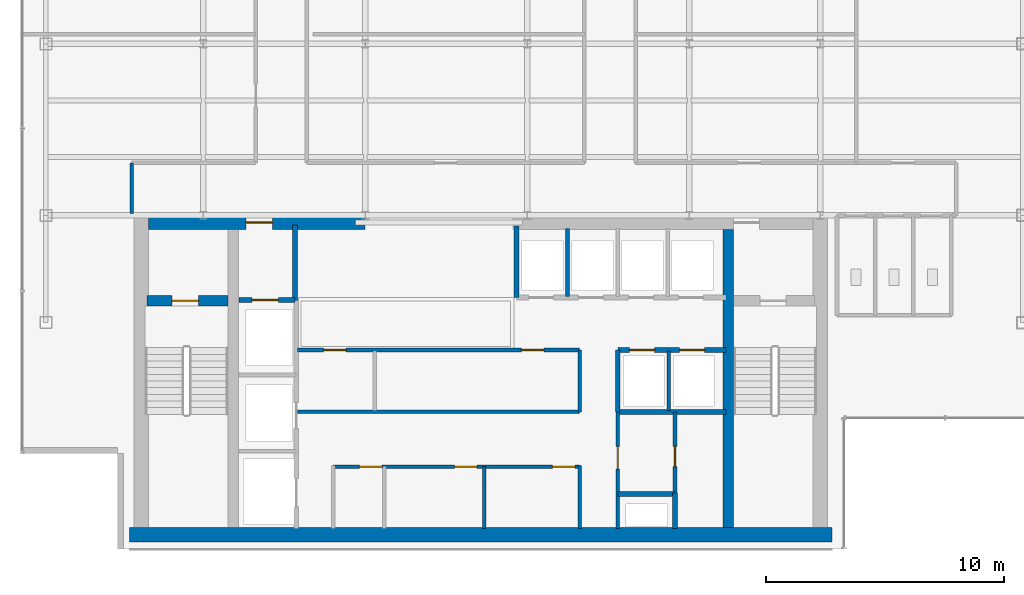
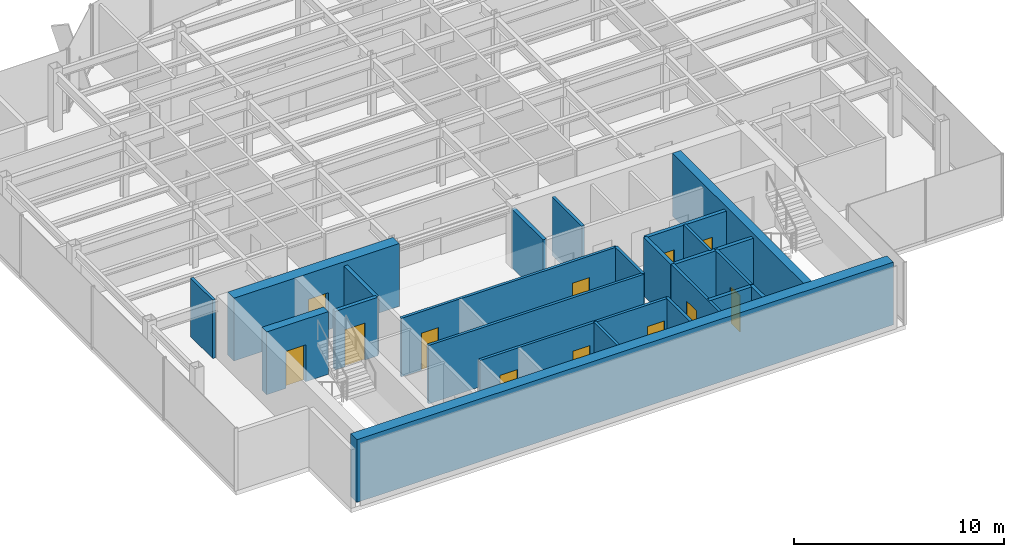
# One storey, part 17 of 22: 23 walls, 12 doors, 12 openings.
"""IFC4 building model written with IfcOpenShell, lengths in metres."""

from ifc_helpers import new_model, si_unit, derived_unit, direction, frame, frame_2d, origin, place, context, subcontext, project, spatial, rectangle, extrude, source, transform, mapped, material, layer, layer_set, type_object, element, fill, save


model = new_model("IFC4")

# Units and contexts
model_context = context("Model", 3, precision=1e-05, world=origin(), true_north=direction((0.0, 1.0)))
body_context = subcontext(model_context, "Body", "Model", "MODEL_VIEW")
ifc_project = project(units=[si_unit("LENGTHUNIT", "METRE"), si_unit("AREAUNIT", "SQUARE_METRE"), si_unit("VOLUMEUNIT", "CUBIC_METRE"), si_unit("PLANEANGLEUNIT", "RADIAN"), si_unit("MASSUNIT", "GRAM", prefix="KILO"), derived_unit("THERMALTRANSMITTANCEUNIT", [(si_unit("POWERUNIT", "WATT"), 1), (si_unit("LENGTHUNIT", "METRE"), -2), (si_unit("THERMODYNAMICTEMPERATUREUNIT", "KELVIN"), -1)])], contexts=[model_context])

# Site, building, storey
site_placement = place(None, origin())
site = spatial("IfcSite", under=ifc_project, at=site_placement, CompositionType="ELEMENT")
building_placement = place(site_placement, origin())
building = spatial("IfcBuilding", under=site, at=building_placement, Name="Skarnbrae Concourse Arena and Tower", CompositionType="ELEMENT")
storey_placement = place(building_placement, frame((0.0, 0.0, 255.14990234375)))
storey = spatial("IfcBuildingStorey", under=building, at=storey_placement, Name="L66", CompositionType="ELEMENT", Elevation=255.14990234375)

# Wall, opening, door
ifc_material_1 = material(Name="Concrete 50 MPa (C50/60)", Category="concrete")
ifc_layer_1 = layer(ifc_material_1, 0.449951171875)
ifc_layer_set_1 = layer_set([ifc_layer_1], Name="Concrete 50 MPa (C50/60)")
wall_type_1 = type_object("IfcWallType", Name="WALL-CORE-450-C50", PredefinedType="SHEAR", material=ifc_layer_set_1)
shared_shape_1 = source(origin(), body_context, "Body", "SweptSolid", [
    extrude(rectangle(XDim=3.389892578125, YDim=0.449951171875, at=frame_2d((1.69482421875, 0.0))), origin(), (0.0, 0.0, 1.0), 3.650146484375),
])
wall_1_placement = place(storey_placement, frame((5.25, 10.419921875, 0.0), z_axis=(0.0, 0.0, 1.0), x_axis=(1.0, 0.0, 0.0)))
wall_1 = element("IfcWall", 1, at=wall_1_placement, inside=storey, type_object=wall_type_1, Name="L66 Rear core shear wall CW-ST1-N", PredefinedType="SHEAR", context=body_context, shape_type="MappedRepresentation", body=[
    mapped(shared_shape_1, transform((0.0, 0.0, 0.0))),
])
opening_1_placement = place(wall_1_placement, frame((1.050048828125, 0.0, 0.0)))
opening_1 = element("IfcOpeningElement", 2, at=opening_1_placement, cuts=wall_1, Name="Opening DT-03", PredefinedType="OPENING", context=body_context, shape_type="SweptSolid", body=[
    extrude(rectangle(XDim=1.10009765625, YDim=2.14990234375, at=frame_2d((0.550048828125, 1.074951171875))), frame((0.0, 0.23486328125, 0.0), z_axis=(0.0, -1.0, 0.0), x_axis=(1.0, 0.0, 0.0)), (0.0, 0.0, 1.0), 0.469970703125),
])
ifc_material_2 = material(Name="Steel CSA G40.21 350W", Category="steel")
door_type_1 = type_object("IfcDoorType", Name="DOOR-FIRE-1100-90M", OperationType="NOTDEFINED", PredefinedType="DOOR", material=ifc_material_2)
shared_shape_2 = source(origin(), body_context, "Body", "SweptSolid", [
    extrude(rectangle(XDim=1.10009765625, YDim=2.14990234375, at=frame_2d((0.550048828125, 1.074951171875))), frame((0.0, 0.02490234375, 0.0), z_axis=(0.0, -1.0, 0.0), x_axis=(1.0, 0.0, 0.0)), (0.0, 0.0, 1.0), 0.050048828125),
])
door_1_placement = place(opening_1_placement, frame((1.10009765625, 0.0, 0.0), z_axis=(0.0, 0.0, 1.0), x_axis=(-1.0, 0.0, 0.0)))
door_1 = element("IfcDoor", 3, at=door_1_placement, inside=storey, type_object=door_type_1, Name="D-1985 Stair ST-1 Door", OperationType="SINGLE_SWING_LEFT", OverallHeight=2.14990234375, OverallWidth=1.10009765625, PredefinedType="DOOR", context=body_context, shape_type="MappedRepresentation", body=[
    mapped(shared_shape_2, transform((0.0, 0.0, 0.0))),
])
fill(opening_1, door_1)

# Wall
ifc_layer_2 = layer(ifc_material_1, 0.60009765625)
ifc_layer_set_2 = layer_set([ifc_layer_2], Name="Concrete 50 MPa (C50/60)")
wall_type_2 = type_object("IfcWallType", Name="WALL-CORE-600-C50", PredefinedType="SHEAR", material=ifc_layer_set_2)
shared_shape_3 = source(origin(), body_context, "Body", "SweptSolid", [
    extrude(rectangle(XDim=29.5, YDim=0.60009765625, at=frame_2d((14.75, 0.0))), origin(), (0.0, 0.0, 1.0), 3.650146484375),
])
wall_2_placement = place(storey_placement, frame((4.5, 0.60009765625, 0.0), z_axis=(0.0, 0.0, 1.0), x_axis=(1.0, 0.0, 0.0)))
element("IfcWall", 4, at=wall_2_placement, inside=storey, type_object=wall_type_2, Name="L66 Rear core shear wall CW-S", PredefinedType="SHEAR", context=body_context, shape_type="MappedRepresentation", body=[
    mapped(shared_shape_3, transform((0.0, 0.0, 0.0))),
])

# Wall, opening, door
shared_shape_4 = source(origin(), body_context, "Body", "SweptSolid", [
    extrude(rectangle(XDim=9.099853515625, YDim=0.60009765625, at=frame_2d((4.5498046875, 0.0))), origin(), (0.0, 0.0, 1.0), 3.650146484375),
])
wall_3_placement = place(storey_placement, frame((5.300048828125, 13.699951171875, 0.0), z_axis=(0.0, 0.0, 1.0), x_axis=(1.0, 0.0, 0.0)))
wall_3 = element("IfcWall", 5, at=wall_3_placement, inside=storey, type_object=wall_type_2, Name="L66 Rear core shear wall CW-NW", PredefinedType="SHEAR", context=body_context, shape_type="MappedRepresentation", body=[
    mapped(shared_shape_4, transform((0.0, 0.0, 0.0))),
])
opening_2_placement = place(wall_3_placement, frame((4.10009765625, 0.0, 0.0)))
opening_2 = element("IfcOpeningElement", 6, at=opening_2_placement, cuts=wall_3, Name="Opening DT-03", PredefinedType="OPENING", context=body_context, shape_type="SweptSolid", body=[
    extrude(rectangle(XDim=1.10009765625, YDim=2.14990234375, at=frame_2d((0.550048828125, 1.074951171875))), frame((0.0, 0.31005859375, 0.0), z_axis=(0.0, -1.0, 0.0), x_axis=(1.0, 0.0, 0.0)), (0.0, 0.0, 1.0), 0.6201171875),
])
door_2_placement = place(opening_2_placement, origin())
door_2 = element("IfcDoor", 7, at=door_2_placement, inside=storey, type_object=door_type_1, Name="D-1987 Firefighting Lobby Exit Door", OperationType="SINGLE_SWING_RIGHT", OverallHeight=2.14990234375, OverallWidth=1.10009765625, PredefinedType="DOOR", context=body_context, shape_type="MappedRepresentation", body=[
    mapped(shared_shape_2, transform((0.0, 0.0, 0.0))),
])
fill(opening_2, door_2)

# Walls
shared_shape_5 = source(origin(), body_context, "Body", "SweptSolid", [
    extrude(rectangle(XDim=12.5, YDim=0.449951171875, at=frame_2d((6.25, 0.0))), origin(), (0.0, 0.0, 1.0), 3.650146484375),
])
wall_4_placement = place(storey_placement, frame((29.635009765625, 0.89990234375, 0.0), z_axis=(0.0, 0.0, 1.0), x_axis=(0.0, 1.0, 0.0)))
element("IfcWall", 8, at=wall_4_placement, inside=storey, type_object=wall_type_1, Name="L66 Rear core shear wall CW-WEB-E", PredefinedType="SHEAR", context=body_context, shape_type="MappedRepresentation", body=[
    mapped(shared_shape_5, transform((0.0, 0.0, 0.0))),
])
ifc_material_3 = material(Name="Gypsum board on cold-formed steel studs", Category="steel")
ifc_layer_3 = layer(ifc_material_3, 0.199951171875)
ifc_layer_set_3 = layer_set([ifc_layer_3], Name="Gypsum board on cold-formed steel studs")
wall_type_3 = type_object("IfcWallType", Name="WALL-PART-200-2HR", PredefinedType="PARTITIONING", material=ifc_layer_set_3)
shared_shape_6 = source(origin(), body_context, "Body", "SweptSolid", [
    extrude(rectangle(XDim=3.18017578125, YDim=0.199951171875, at=frame_2d((1.590087890625, 0.0))), origin(), (0.0, 0.0, 1.0), 3.400146484375),
])
wall_5_placement = place(storey_placement, frame((11.449951171875, 10.419921875, 0.0), z_axis=(0.0, 0.0, 1.0), x_axis=(0.0, 1.0, 0.0)))
element("IfcWall", 9, at=wall_5_placement, inside=storey, type_object=wall_type_3, Name="L66 Interior partition wall W-L66-FFL-E", PredefinedType="PARTITIONING", context=body_context, shape_type="MappedRepresentation", body=[
    mapped(shared_shape_6, transform((0.0, 0.0, 0.0))),
])

# Wall, opening, door
shared_shape_7 = source(origin(), body_context, "Body", "SweptSolid", [
    extrude(rectangle(XDim=2.349853515625, YDim=0.199951171875, at=frame_2d((1.1748046875, 0.0))), origin(), (0.0, 0.0, 1.0), 3.400146484375),
])
wall_6_placement = place(storey_placement, frame((9.10009765625, 10.449951171875, 0.0), z_axis=(0.0, 0.0, 1.0), x_axis=(1.0, 0.0, 0.0)))
wall_6 = element("IfcWall", 10, at=wall_6_placement, inside=storey, type_object=wall_type_3, Name="L66 Interior partition wall W-L66-FL1-N", PredefinedType="PARTITIONING", context=body_context, shape_type="MappedRepresentation", body=[
    mapped(shared_shape_7, transform((0.0, 0.0, 0.0))),
])
opening_3_placement = place(wall_6_placement, frame((0.550048828125, 0.0, 0.0)))
opening_3 = element("IfcOpeningElement", 11, at=opening_3_placement, cuts=wall_6, Name="Opening LD-01", PredefinedType="OPENING", context=body_context, shape_type="SweptSolid", body=[
    extrude(rectangle(XDim=1.10009765625, YDim=2.14990234375, at=frame_2d((0.550048828125, 1.074951171875))), frame((0.0, 0.10986328125, 0.0), z_axis=(0.0, -1.0, 0.0), x_axis=(1.0, 0.0, 0.0)), (0.0, 0.0, 1.0), 0.219970703125),
])
door_type_2 = type_object("IfcDoorType", Name="DOOR-LIFT-SLIDE-1100", OperationType="SLIDING_TO_LEFT", PredefinedType="DOOR", material=ifc_material_2)
door_3_placement = place(opening_3_placement, origin())
door_3 = element("IfcDoor", 12, at=door_3_placement, inside=storey, type_object=door_type_2, Name="D-1989 Firefighting Lift Landing Door FL-01", OperationType="SLIDING_TO_LEFT", OverallHeight=2.14990234375, OverallWidth=1.10009765625, PredefinedType="DOOR", context=body_context, shape_type="MappedRepresentation", body=[
    mapped(shared_shape_2, transform((0.0, 0.0, 0.0))),
])
fill(opening_3, door_3)

# Walls
ifc_layer_4 = layer(ifc_material_3, 0.14990234375)
ifc_layer_set_4 = layer_set([ifc_layer_4], Name="Gypsum board on cold-formed steel studs")
wall_type_4 = type_object("IfcWallType", Name="WALL-PART-150", PredefinedType="PARTITIONING", material=ifc_layer_set_4)
shared_shape_8 = source(origin(), body_context, "Body", "SweptSolid", [
    extrude(rectangle(XDim=2.599853515625, YDim=0.14990234375, at=frame_2d((1.2998046875, 0.0))), origin(), (0.0, 0.0, 1.0), 3.400146484375),
])
wall_7_placement = place(storey_placement, frame((19.39990234375, 0.85009765625, 0.0), z_axis=(0.0, 0.0, 1.0), x_axis=(0.0, 1.0, 0.0)))
element("IfcWall", 13, at=wall_7_placement, inside=storey, type_object=wall_type_4, Name="L66 Interior partition wall W-L66-B1M-C2", PredefinedType="PARTITIONING", context=body_context, shape_type="MappedRepresentation", body=[
    mapped(shared_shape_8, transform((0.0, 0.0, 0.0))),
])
shared_shape_9 = source(origin(), body_context, "Body", "SweptSolid", [
    extrude(rectangle(XDim=2.60009765625, YDim=0.199951171875, at=frame_2d((1.300048828125, 0.0))), origin(), (0.0, 0.0, 1.0), 3.400146484375),
])
wall_8_placement = place(storey_placement, frame((25.0, 5.75, 0.0), z_axis=(0.0, 0.0, 1.0), x_axis=(0.0, 1.0, 0.0)))
element("IfcWall", 14, at=wall_8_placement, inside=storey, type_object=wall_type_3, Name="L66 Interior partition wall W-L66-B3S-W", PredefinedType="PARTITIONING", context=body_context, shape_type="MappedRepresentation", body=[
    mapped(shared_shape_9, transform((0.0, 0.0, 0.0))),
])
shared_shape_10 = source(origin(), body_context, "Body", "SweptSolid", [
    extrude(rectangle(XDim=2.5, YDim=0.14990234375, at=frame_2d((1.25, 0.0))), origin(), (0.0, 0.0, 1.0), 3.400146484375),
])
wall_9_placement = place(storey_placement, frame((27.139892578125, 5.800048828125, 0.0), z_axis=(0.0, 0.0, 1.0), x_axis=(0.0, 1.0, 0.0)))
element("IfcWall", 15, at=wall_9_placement, inside=storey, type_object=wall_type_4, Name="L66 Interior partition wall W-L66-B3S-P1", PredefinedType="PARTITIONING", context=body_context, shape_type="MappedRepresentation", body=[
    mapped(shared_shape_10, transform((0.0, 0.0, 0.0))),
])
shared_shape_11 = source(origin(), body_context, "Body", "SweptSolid", [
    extrude(rectangle(XDim=3.0, YDim=0.199951171875, at=frame_2d((1.5, 0.0))), origin(), (0.0, 0.0, 1.0), 3.400146484375),
])
wall_10_placement = place(storey_placement, frame((20.75, 10.550048828125, 0.0), z_axis=(0.0, 0.0, 1.0), x_axis=(0.0, 1.0, 0.0)))
element("IfcWall", 16, at=wall_10_placement, inside=storey, type_object=wall_type_3, Name="L66 Interior partition wall W-L66-B3N-W", PredefinedType="PARTITIONING", context=body_context, shape_type="MappedRepresentation", body=[
    mapped(shared_shape_11, transform((0.0, 0.0, 0.0))),
])
shared_shape_12 = source(origin(), body_context, "Body", "SweptSolid", [
    extrude(rectangle(XDim=2.849853515625, YDim=0.14990234375, at=frame_2d((1.4248046875, 0.0))), origin(), (0.0, 0.0, 1.0), 3.400146484375),
])
wall_11_placement = place(storey_placement, frame((22.889892578125, 10.60009765625, 0.0), z_axis=(0.0, 0.0, 1.0), x_axis=(0.0, 1.0, 0.0)))
element("IfcWall", 17, at=wall_11_placement, inside=storey, type_object=wall_type_4, Name="L66 Interior partition wall W-L66-B3N-P1", PredefinedType="PARTITIONING", context=body_context, shape_type="MappedRepresentation", body=[
    mapped(shared_shape_12, transform((0.0, 0.0, 0.0))),
])

# Wall, openings, doors
shared_shape_13 = source(origin(), body_context, "Body", "SweptSolid", [
    extrude(rectangle(XDim=4.550048828125, YDim=0.199951171875, at=frame_2d((2.27490234375, 0.0))), origin(), (0.0, 0.0, 1.0), 3.400146484375),
])
wall_12_placement = place(storey_placement, frame((25.0, 8.35009765625, 0.0), z_axis=(0.0, 0.0, 1.0), x_axis=(1.0, 0.0, 0.0)))
wall_12 = element("IfcWall", 18, at=wall_12_placement, inside=storey, type_object=wall_type_3, Name="L66 Interior partition wall W-L66-B3S-N", PredefinedType="PARTITIONING", context=body_context, shape_type="MappedRepresentation", body=[
    mapped(shared_shape_13, transform((0.0, 0.0, 0.0))),
])
opening_4_placement = place(wall_12_placement, frame((0.5, 0.0, 0.0)))
opening_4 = element("IfcOpeningElement", 19, at=opening_4_placement, cuts=wall_12, Name="Opening LD-04", PredefinedType="OPENING", context=body_context, shape_type="SweptSolid", body=[
    extrude(rectangle(XDim=1.050048828125, YDim=2.14990234375, at=frame_2d((0.52490234375, 1.074951171875))), frame((0.0, 0.10986328125, 0.0), z_axis=(0.0, -1.0, 0.0), x_axis=(1.0, 0.0, 0.0)), (0.0, 0.0, 1.0), 0.219970703125),
])
opening_5_placement = place(wall_12_placement, frame((2.60009765625, 0.0, 0.0)))
opening_5 = element("IfcOpeningElement", 20, at=opening_5_placement, cuts=wall_12, Name="Opening LD-04", PredefinedType="OPENING", context=body_context, shape_type="SweptSolid", body=[
    extrude(rectangle(XDim=1.050048828125, YDim=2.14990234375, at=frame_2d((0.52490234375, 1.074951171875))), frame((0.0, 0.10986328125, 0.0), z_axis=(0.0, -1.0, 0.0), x_axis=(1.0, 0.0, 0.0)), (0.0, 0.0, 1.0), 0.219970703125),
])
ifc_material_4 = material(Name="Bronze anodised aluminium 6063-T6", Category="aluminium")
door_type_3 = type_object("IfcDoorType", Name="DOOR-LIFT-SLIDE-1050H", OperationType="SLIDING_TO_LEFT", PredefinedType="DOOR", material=ifc_material_4)
shared_shape_14 = source(origin(), body_context, "Body", "SweptSolid", [
    extrude(rectangle(XDim=1.050048828125, YDim=2.14990234375, at=frame_2d((0.52490234375, 1.074951171875))), frame((0.0, 0.02490234375, 0.0), z_axis=(0.0, -1.0, 0.0), x_axis=(1.0, 0.0, 0.0)), (0.0, 0.0, 1.0), 0.050048828125),
])
door_4_placement = place(opening_4_placement, origin())
door_4 = element("IfcDoor", 21, at=door_4_placement, inside=storey, type_object=door_type_3, Name="D-2001 Passenger Lift Landing Door PL-3E", OperationType="SLIDING_TO_LEFT", OverallHeight=2.14990234375, OverallWidth=1.050048828125, PredefinedType="DOOR", context=body_context, shape_type="MappedRepresentation", body=[
    mapped(shared_shape_14, transform((0.0, 0.0, 0.0))),
])
fill(opening_4, door_4)
door_5_placement = place(opening_5_placement, origin())
door_5 = element("IfcDoor", 22, at=door_5_placement, inside=storey, type_object=door_type_3, Name="D-2002 Passenger Lift Landing Door PL-3F", OperationType="SLIDING_TO_LEFT", OverallHeight=2.14990234375, OverallWidth=1.050048828125, PredefinedType="DOOR", context=body_context, shape_type="MappedRepresentation", body=[
    mapped(shared_shape_14, transform((0.0, 0.0, 0.0))),
])
fill(opening_5, door_5)

# Wall
wall_13_placement = place(storey_placement, frame((25.0, 5.75, 0.0), z_axis=(0.0, 0.0, 1.0), x_axis=(1.0, 0.0, 0.0)))
element("IfcWall", 23, at=wall_13_placement, inside=storey, type_object=wall_type_3, Name="L66 Interior partition wall W-L66-B3S-S", PredefinedType="PARTITIONING", context=body_context, shape_type="MappedRepresentation", body=[
    mapped(shared_shape_13, transform((0.0, 0.0, 0.0))),
])

# Wall, opening, door
ifc_layer_5 = layer(ifc_material_3, 0.14990234375)
ifc_layer_set_5 = layer_set([ifc_layer_5], Name="Gypsum board on cold-formed steel studs")
wall_type_5 = type_object("IfcWallType", Name="WALL-PART-150-1HR", PredefinedType="PARTITIONING", material=ifc_layer_set_5)
shared_shape_15 = source(origin(), body_context, "Body", "SweptSolid", [
    extrude(rectangle(XDim=4.89990234375, YDim=0.14990234375, at=frame_2d((2.449951171875, 0.0))), origin(), (0.0, 0.0, 1.0), 3.400146484375),
])
wall_14_placement = place(storey_placement, frame((25.0, 0.85009765625, 0.0), z_axis=(0.0, 0.0, 1.0), x_axis=(0.0, 1.0, 0.0)))
wall_14 = element("IfcWall", 24, at=wall_14_placement, inside=storey, type_object=wall_type_5, Name="L66 Interior partition wall W-L66-CSV-W", PredefinedType="PARTITIONING", context=body_context, shape_type="MappedRepresentation", body=[
    mapped(shared_shape_15, transform((0.0, 0.0, 0.0))),
])
opening_6_placement = place(wall_14_placement, frame((2.5, 0.0, 0.0)))
opening_6 = element("IfcOpeningElement", 25, at=opening_6_placement, cuts=wall_14, Name="Opening DT-04", PredefinedType="OPENING", context=body_context, shape_type="SweptSolid", body=[
    extrude(rectangle(XDim=0.949951171875, YDim=2.14990234375, at=frame_2d((0.47509765625, 1.074951171875))), frame((0.0, 0.0849609375, 0.0), z_axis=(0.0, -1.0, 0.0), x_axis=(1.0, 0.0, 0.0)), (0.0, 0.0, 1.0), 0.169921875),
])
door_type_4 = type_object("IfcDoorType", Name="DOOR-INT-950-45M", OperationType="NOTDEFINED", PredefinedType="DOOR", material=ifc_material_2)
shared_shape_16 = source(origin(), body_context, "Body", "SweptSolid", [
    extrude(rectangle(XDim=0.949951171875, YDim=2.14990234375, at=frame_2d((0.47509765625, 1.074951171875))), frame((0.0, 0.02490234375, 0.0), z_axis=(0.0, -1.0, 0.0), x_axis=(1.0, 0.0, 0.0)), (0.0, 0.0, 1.0), 0.050048828125),
])
door_6_placement = place(opening_6_placement, origin())
door_6 = element("IfcDoor", 26, at=door_6_placement, inside=storey, type_object=door_type_4, Name="D-2003 Core Pantry Door", OperationType="SINGLE_SWING_RIGHT", OverallHeight=2.14990234375, OverallWidth=0.949951171875, PredefinedType="DOOR", context=body_context, shape_type="MappedRepresentation", body=[
    mapped(shared_shape_16, transform((0.0, 0.0, 0.0))),
])
fill(opening_6, door_6)

# Walls
shared_shape_17 = source(origin(), body_context, "Body", "SweptSolid", [
    extrude(rectangle(XDim=2.39990234375, YDim=0.199951171875, at=frame_2d((1.199951171875, 0.0))), origin(), (0.0, 0.0, 1.0), 3.400146484375),
])
wall_15_placement = place(storey_placement, frame((25.0, 2.300048828125, 0.0), z_axis=(0.0, 0.0, 1.0), x_axis=(1.0, 0.0, 0.0)))
element("IfcWall", 27, at=wall_15_placement, inside=storey, type_object=wall_type_3, Name="L66 Interior partition wall W-L66-MEP-N", PredefinedType="PARTITIONING", context=body_context, shape_type="MappedRepresentation", body=[
    mapped(shared_shape_17, transform((0.0, 0.0, 0.0))),
])
shared_shape_18 = source(origin(), body_context, "Body", "SweptSolid", [
    extrude(rectangle(XDim=1.5, YDim=0.199951171875, at=frame_2d((0.75, 0.0))), origin(), (0.0, 0.0, 1.0), 3.400146484375),
])
wall_16_placement = place(storey_placement, frame((27.39990234375, 0.85009765625, 0.0), z_axis=(0.0, 0.0, 1.0), x_axis=(0.0, 1.0, 0.0)))
element("IfcWall", 28, at=wall_16_placement, inside=storey, type_object=wall_type_3, Name="L66 Interior partition wall W-L66-MEP-E", PredefinedType="PARTITIONING", context=body_context, shape_type="MappedRepresentation", body=[
    mapped(shared_shape_18, transform((0.0, 0.0, 0.0))),
])

# Wall, opening, door
shared_shape_19 = source(origin(), body_context, "Body", "SweptSolid", [
    extrude(rectangle(XDim=3.39990234375, YDim=0.14990234375, at=frame_2d((1.699951171875, 0.0))), origin(), (0.0, 0.0, 1.0), 3.400146484375),
])
wall_17_placement = place(storey_placement, frame((27.39990234375, 2.35009765625, 0.0), z_axis=(0.0, 0.0, 1.0), x_axis=(0.0, 1.0, 0.0)))
wall_17 = element("IfcWall", 29, at=wall_17_placement, inside=storey, type_object=wall_type_4, Name="L66 Interior partition wall W-L66-CSV-V", PredefinedType="PARTITIONING", context=body_context, shape_type="MappedRepresentation", body=[
    mapped(shared_shape_19, transform((0.0, 0.0, 0.0))),
])
opening_7_placement = place(wall_17_placement, frame((1.10009765625, 0.0, 0.0)))
opening_7 = element("IfcOpeningElement", 30, at=opening_7_placement, cuts=wall_17, Name="Opening DT-06", PredefinedType="OPENING", context=body_context, shape_type="SweptSolid", body=[
    extrude(rectangle(XDim=0.85009765625, YDim=2.10009765625, at=frame_2d((0.425048828125, 1.050048828125))), frame((0.0, 0.0849609375, 0.0), z_axis=(0.0, -1.0, 0.0), x_axis=(1.0, 0.0, 0.0)), (0.0, 0.0, 1.0), 0.169921875),
])
ifc_material_5 = material(Name="Architectural oak veneer timber leaf", Category="wood")
door_type_5 = type_object("IfcDoorType", Name="DOOR-INT-850", OperationType="NOTDEFINED", PredefinedType="DOOR", material=ifc_material_5)
shared_shape_20 = source(origin(), body_context, "Body", "SweptSolid", [
    extrude(rectangle(XDim=0.85009765625, YDim=2.10009765625, at=frame_2d((0.425048828125, 1.050048828125))), frame((0.0, 0.02490234375, 0.0), z_axis=(0.0, -1.0, 0.0), x_axis=(1.0, 0.0, 0.0)), (0.0, 0.0, 1.0), 0.050048828125),
])
door_7_placement = place(opening_7_placement, frame((0.85009765625, 0.0, 0.0), z_axis=(0.0, 0.0, 1.0), x_axis=(-1.0, 0.0, 0.0)))
door_7 = element("IfcDoor", 31, at=door_7_placement, inside=storey, type_object=door_type_5, Name="D-2004 Supply Cupboard Door", OperationType="SINGLE_SWING_LEFT", OverallHeight=2.10009765625, OverallWidth=0.85009765625, PredefinedType="DOOR", context=body_context, shape_type="MappedRepresentation", body=[
    mapped(shared_shape_20, transform((0.0, 0.0, 0.0))),
])
fill(opening_7, door_7)

# Wall
shared_shape_21 = source(origin(), body_context, "Body", "SweptSolid", [
    extrude(rectangle(XDim=2.64990234375, YDim=0.14990234375, at=frame_2d((1.324951171875, 0.0))), origin(), (0.0, 0.0, 1.0), 3.400146484375),
])
wall_18_placement = place(storey_placement, frame((23.39990234375, 0.85009765625, 0.0), z_axis=(0.0, 0.0, 1.0), x_axis=(0.0, 1.0, 0.0)))
element("IfcWall", 32, at=wall_18_placement, inside=storey, type_object=wall_type_5, Name="L66 Interior partition wall W-L66-B1M-E", PredefinedType="PARTITIONING", context=body_context, shape_type="MappedRepresentation", body=[
    mapped(shared_shape_21, transform((0.0, 0.0, 0.0))),
])

# Wall, openings, doors
shared_shape_22 = source(origin(), body_context, "Body", "SweptSolid", [
    extrude(rectangle(XDim=10.349853515625, YDim=0.14990234375, at=frame_2d((5.1748046875, 0.0))), origin(), (0.0, 0.0, 1.0), 3.400146484375),
])
wall_19_placement = place(storey_placement, frame((13.050048828125, 3.449951171875, 0.0), z_axis=(0.0, 0.0, 1.0), x_axis=(1.0, 0.0, 0.0)))
wall_19 = element("IfcWall", 33, at=wall_19_placement, inside=storey, type_object=wall_type_5, Name="L66 Interior partition wall W-L66-B1M-N", PredefinedType="PARTITIONING", context=body_context, shape_type="MappedRepresentation", body=[
    mapped(shared_shape_22, transform((0.0, 0.0, 0.0))),
])
opening_8_placement = place(wall_19_placement, frame((1.10009765625, 0.0, 0.0)))
opening_8 = element("IfcOpeningElement", 34, at=opening_8_placement, cuts=wall_19, Name="Opening DT-04", PredefinedType="OPENING", context=body_context, shape_type="SweptSolid", body=[
    extrude(rectangle(XDim=0.949951171875, YDim=2.14990234375, at=frame_2d((0.47509765625, 1.074951171875))), frame((0.0, 0.0849609375, 0.0), z_axis=(0.0, -1.0, 0.0), x_axis=(1.0, 0.0, 0.0)), (0.0, 0.0, 1.0), 0.169921875),
])
opening_9_placement = place(wall_19_placement, frame((5.10009765625, 0.0, 0.0)))
opening_9 = element("IfcOpeningElement", 35, at=opening_9_placement, cuts=wall_19, Name="Opening DT-04", PredefinedType="OPENING", context=body_context, shape_type="SweptSolid", body=[
    extrude(rectangle(XDim=0.949951171875, YDim=2.14990234375, at=frame_2d((0.47509765625, 1.074951171875))), frame((0.0, 0.0849609375, 0.0), z_axis=(0.0, -1.0, 0.0), x_axis=(1.0, 0.0, 0.0)), (0.0, 0.0, 1.0), 0.169921875),
])
opening_10_placement = place(wall_19_placement, frame((9.199951171875, 0.0, 0.0)))
opening_10 = element("IfcOpeningElement", 36, at=opening_10_placement, cuts=wall_19, Name="Opening DT-04", PredefinedType="OPENING", context=body_context, shape_type="SweptSolid", body=[
    extrude(rectangle(XDim=0.949951171875, YDim=2.14990234375, at=frame_2d((0.47509765625, 1.074951171875))), frame((0.0, 0.0849609375, 0.0), z_axis=(0.0, -1.0, 0.0), x_axis=(1.0, 0.0, 0.0)), (0.0, 0.0, 1.0), 0.169921875),
])
door_8_placement = place(opening_8_placement, origin())
door_8 = element("IfcDoor", 37, at=door_8_placement, inside=storey, type_object=door_type_4, Name="D-1992 Core Service Door 1", OperationType="SINGLE_SWING_LEFT", OverallHeight=2.14990234375, OverallWidth=0.949951171875, PredefinedType="DOOR", context=body_context, shape_type="MappedRepresentation", body=[
    mapped(shared_shape_16, transform((0.0, 0.0, 0.0))),
])
fill(opening_8, door_8)
door_9_placement = place(opening_9_placement, origin())
door_9 = element("IfcDoor", 38, at=door_9_placement, inside=storey, type_object=door_type_4, Name="D-1993 Core Service Door 2", OperationType="SINGLE_SWING_RIGHT", OverallHeight=2.14990234375, OverallWidth=0.949951171875, PredefinedType="DOOR", context=body_context, shape_type="MappedRepresentation", body=[
    mapped(shared_shape_16, transform((0.0, 0.0, 0.0))),
])
fill(opening_9, door_9)
door_10_placement = place(opening_10_placement, origin())
door_10 = element("IfcDoor", 39, at=door_10_placement, inside=storey, type_object=door_type_4, Name="D-1994 Core Service Door 3", OperationType="SINGLE_SWING_LEFT", OverallHeight=2.14990234375, OverallWidth=0.949951171875, PredefinedType="DOOR", context=body_context, shape_type="MappedRepresentation", body=[
    mapped(shared_shape_16, transform((0.0, 0.0, 0.0))),
])
fill(opening_10, door_10)

# Wall
shared_shape_23 = source(origin(), body_context, "Body", "SweptSolid", [
    extrude(rectangle(XDim=11.849853515625, YDim=0.14990234375, at=frame_2d((5.9248046875, 0.0))), origin(), (0.0, 0.0, 1.0), 3.400146484375),
])
wall_20_placement = place(storey_placement, frame((11.550048828125, 5.75, 0.0), z_axis=(0.0, 0.0, 1.0), x_axis=(1.0, 0.0, 0.0)))
element("IfcWall", 40, at=wall_20_placement, inside=storey, type_object=wall_type_5, Name="L66 Interior partition wall W-L66-B2M-S", PredefinedType="PARTITIONING", context=body_context, shape_type="MappedRepresentation", body=[
    mapped(shared_shape_23, transform((0.0, 0.0, 0.0))),
])

# Wall, openings, doors
wall_21_placement = place(storey_placement, frame((11.550048828125, 8.35009765625, 0.0), z_axis=(0.0, 0.0, 1.0), x_axis=(1.0, 0.0, 0.0)))
wall_21 = element("IfcWall", 41, at=wall_21_placement, inside=storey, type_object=wall_type_5, Name="L66 Interior partition wall W-L66-B2M-N", PredefinedType="PARTITIONING", context=body_context, shape_type="MappedRepresentation", body=[
    mapped(shared_shape_23, transform((0.0, 0.0, 0.0))),
])
opening_11_placement = place(wall_21_placement, frame((1.10009765625, 0.0, 0.0)))
opening_11 = element("IfcOpeningElement", 42, at=opening_11_placement, cuts=wall_21, Name="Opening DT-04", PredefinedType="OPENING", context=body_context, shape_type="SweptSolid", body=[
    extrude(rectangle(XDim=0.949951171875, YDim=2.14990234375, at=frame_2d((0.47509765625, 1.074951171875))), frame((0.0, 0.0849609375, 0.0), z_axis=(0.0, -1.0, 0.0), x_axis=(1.0, 0.0, 0.0)), (0.0, 0.0, 1.0), 0.169921875),
])
opening_12_placement = place(wall_21_placement, frame((9.39990234375, 0.0, 0.0)))
opening_12 = element("IfcOpeningElement", 43, at=opening_12_placement, cuts=wall_21, Name="Opening DT-04", PredefinedType="OPENING", context=body_context, shape_type="SweptSolid", body=[
    extrude(rectangle(XDim=0.949951171875, YDim=2.14990234375, at=frame_2d((0.47509765625, 1.074951171875))), frame((0.0, 0.0849609375, 0.0), z_axis=(0.0, -1.0, 0.0), x_axis=(1.0, 0.0, 0.0)), (0.0, 0.0, 1.0), 0.169921875),
])
door_11_placement = place(opening_11_placement, origin())
door_11 = element("IfcDoor", 44, at=door_11_placement, inside=storey, type_object=door_type_4, Name="D-1995 High-Zone Data Door", OperationType="SINGLE_SWING_RIGHT", OverallHeight=2.14990234375, OverallWidth=0.949951171875, PredefinedType="DOOR", context=body_context, shape_type="MappedRepresentation", body=[
    mapped(shared_shape_16, transform((0.0, 0.0, 0.0))),
])
fill(opening_11, door_11)
door_12_placement = place(opening_12_placement, origin())
door_12 = element("IfcDoor", 45, at=door_12_placement, inside=storey, type_object=door_type_4, Name="D-1996 Reprographics Door", OperationType="SINGLE_SWING_LEFT", OverallHeight=2.14990234375, OverallWidth=0.949951171875, PredefinedType="DOOR", context=body_context, shape_type="MappedRepresentation", body=[
    mapped(shared_shape_16, transform((0.0, 0.0, 0.0))),
])
fill(opening_12, door_12)

# Walls
shared_shape_24 = source(origin(), body_context, "Body", "SweptSolid", [
    extrude(rectangle(XDim=2.60009765625, YDim=0.14990234375, at=frame_2d((1.300048828125, 0.0))), origin(), (0.0, 0.0, 1.0), 3.400146484375),
])
wall_22_placement = place(storey_placement, frame((23.39990234375, 5.75, 0.0), z_axis=(0.0, 0.0, 1.0), x_axis=(0.0, 1.0, 0.0)))
element("IfcWall", 46, at=wall_22_placement, inside=storey, type_object=wall_type_5, Name="L66 Interior partition wall W-L66-B2M-E", PredefinedType="PARTITIONING", context=body_context, shape_type="MappedRepresentation", body=[
    mapped(shared_shape_24, transform((0.0, 0.0, 0.0))),
])
shared_shape_25 = source(origin(), body_context, "Body", "SweptSolid", [
    extrude(rectangle(XDim=2.119873046875, YDim=0.14990234375, at=frame_2d((1.06005859375, 0.0))), origin(), (0.0, 0.0, 1.0), 3.400146484375),
])
wall_23_placement = place(storey_placement, frame((4.60009765625, 14.080078125, 0.0), z_axis=(0.0, 0.0, 1.0), x_axis=(0.0, 1.0, 0.0)))
element("IfcWall", 47, at=wall_23_placement, inside=storey, type_object=wall_type_5, Name="L66 Interior partition wall W-L66-COR-01", PredefinedType="PARTITIONING", context=body_context, shape_type="MappedRepresentation", body=[
    mapped(shared_shape_25, transform((0.0, 0.0, 0.0))),
])

save(model, "model.ifc")
